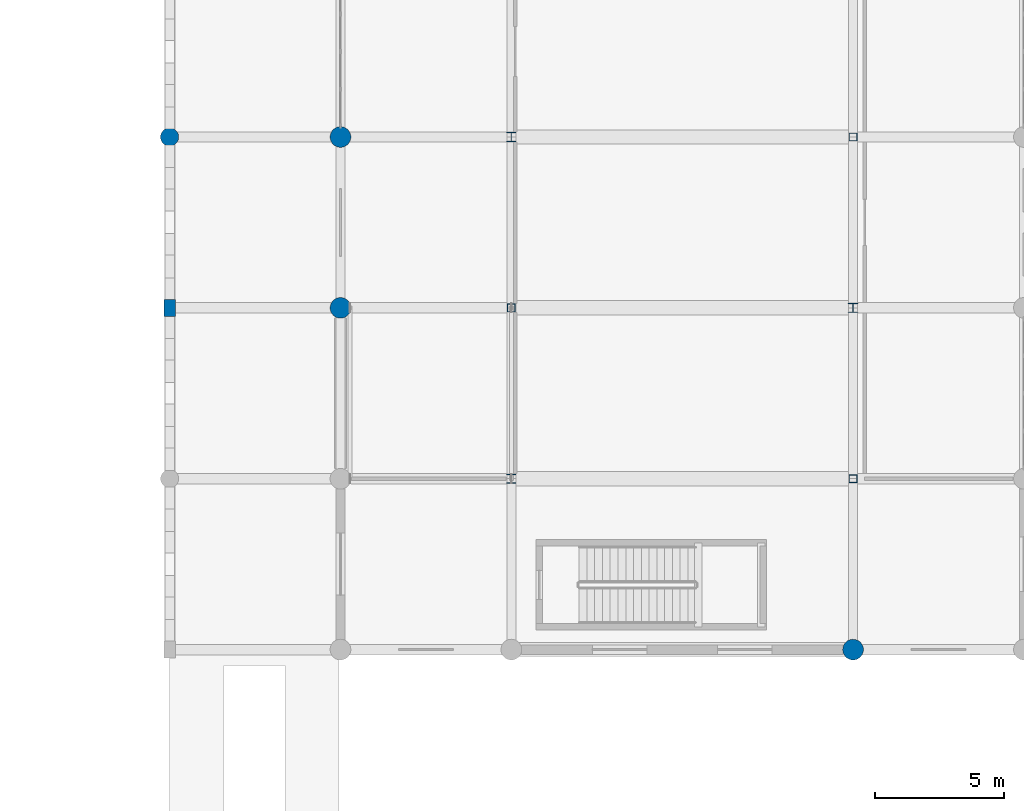
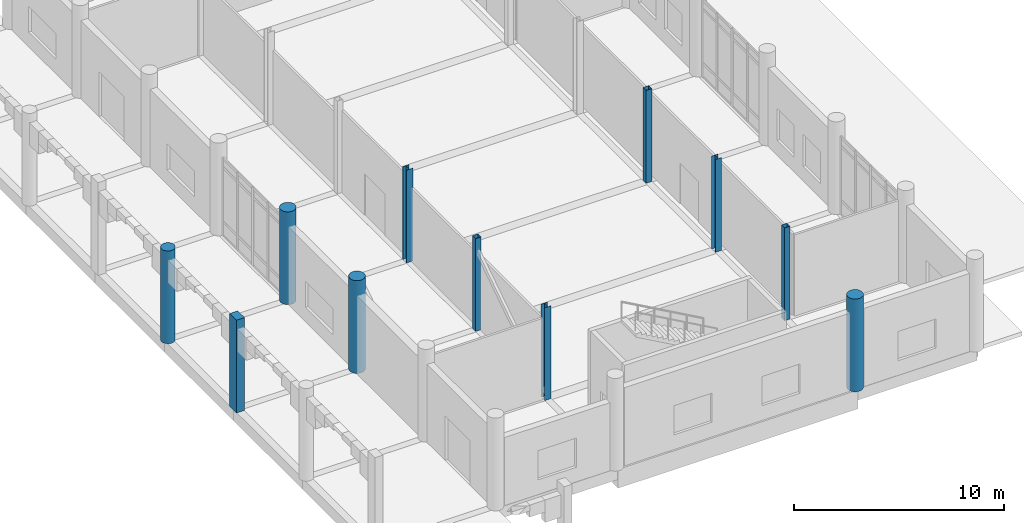
# One storey, part 2 of 72: 11 columns.
"""IFC4 building model written with IfcOpenShell, lengths in metres."""

from ifc_helpers import new_model, si_unit, direction, frame, origin, origin_2d, place, context, subcontext, project, spatial, rectangle, hollow_rectangle, circle, i_section, extrude, material, material_profile, profile_set, type_object, element, save


model = new_model("IFC4")

# Units and contexts
model_context = context("Model", 3, precision=1e-05, world=origin(), true_north=direction((0.0, 1.0)))
body_context = subcontext(model_context, "Body", "Model", "MODEL_VIEW")
ifc_project = project(units=[si_unit("LENGTHUNIT", "METRE"), si_unit("AREAUNIT", "SQUARE_METRE"), si_unit("VOLUMEUNIT", "CUBIC_METRE"), si_unit("PLANEANGLEUNIT", "RADIAN"), si_unit("MASSUNIT", "GRAM", prefix="KILO")], contexts=[model_context])

# Site, building, storey
site_placement = place(None, origin())
site = spatial("IfcSite", under=ifc_project, at=site_placement, CompositionType="ELEMENT")
building_placement = place(site_placement, origin())
building = spatial("IfcBuilding", under=site, at=building_placement, Name="Dornvale Research Institute", CompositionType="ELEMENT")
storey_placement = place(building_placement, origin())
storey = spatial("IfcBuildingStorey", under=building, at=storey_placement, Name="L00", CompositionType="ELEMENT", Elevation=0.0)

# Columns
ifc_material_1 = material(Name="Concrete f'c 45 MPa (C35/45)", Category="concrete")
ifc_material_profile_1 = material_profile(ifc_material_1, circle(Radius=0.39990234375, at=origin_2d()), Name="RC DIA 800")
ifc_profile_set_1 = profile_set([ifc_material_profile_1], Name="Concrete f'c 45 MPa (C35/45)")
column_type_1 = type_object("IfcColumnType", Name="Column_RCDia800_Ext", PredefinedType="COLUMN", material=ifc_profile_set_1)
for number, where, z_axis, x_axis, name in (
    (1, (39.60009765625, 52.800048828125, 0.0), (0.0, 0.0, 1.0), (1.0, 0.0, 0.0), "L00 column #1020"),
    (2, (39.60009765625, 59.39990234375, 0.0), (0.0, 0.0, 1.0), (1.0, 0.0, 0.0), "L00 column #1021"),
    (3, (59.39990234375, 39.60009765625, 0.0), (0.0, 0.0, 1.0), (1.0, 0.0, 0.0), "L00 column #1034"),
):
    element("IfcColumn", number, at=place(storey_placement, frame(where, z_axis=z_axis, x_axis=x_axis)), inside=storey, type_object=column_type_1, Name=name, PredefinedType="COLUMN", context=body_context, shape_type="SweptSolid", body=[
        extrude(circle(Radius=0.39990234375, at=origin_2d()), origin(), (0.0, 0.0, 1.0), 5.39990234375),
    ])
ifc_material_2 = material(Name="Steel ASTM A500 Grade C", Category="steel")
ifc_material_profile_2 = material_profile(ifc_material_2, hollow_rectangle(XDim=0.304931640625, YDim=0.304931640625, WallThickness=0.01171875, at=origin_2d()), Name="HSS305X305X12.7")
ifc_profile_set_2 = profile_set([ifc_material_profile_2], Name="Steel ASTM A500 Grade C")
column_type_2 = type_object("IfcColumnType", Name="Column_Steel_HSS305", PredefinedType="COLUMN", material=ifc_profile_set_2)
for number, where, z_axis, x_axis, name in (
    (4, (46.199951171875, 52.800048828125, 0.0), (0.0, 0.0, 1.0), (1.0, 0.0, 0.0), "L00 column #1028"),
    (5, (59.39990234375, 46.199951171875, 0.0), (0.0, 0.0, 1.0), (1.0, 0.0, 0.0), "L00 column #1035"),
    (6, (59.39990234375, 59.39990234375, 0.0), (0.0, 0.0, 1.0), (1.0, 0.0, 0.0), "L00 column #1037"),
):
    element("IfcColumn", number, at=place(storey_placement, frame(where, z_axis=z_axis, x_axis=x_axis)), inside=storey, type_object=column_type_2, Name=name, PredefinedType="COLUMN", context=body_context, shape_type="SweptSolid", body=[
        extrude(hollow_rectangle(XDim=0.304931640625, YDim=0.304931640625, WallThickness=0.01171875, at=origin_2d()), origin(), (0.0, 0.0, 1.0), 5.39990234375),
    ])
ifc_material_3 = material(Name="Steel ASTM A992 Grade 50", Category="steel")
ifc_material_profile_3 = material_profile(ifc_material_3, i_section(OverallWidth=0.35595703125, OverallDepth=0.35595703125, WebThickness=0.01123046875, FlangeThickness=0.01806640625, at=origin_2d()), Name="W14X90")
ifc_profile_set_3 = profile_set([ifc_material_profile_3], Name="Steel ASTM A992 Grade 50")
column_type_3 = type_object("IfcColumnType", Name="Column_Steel_W14X90", PredefinedType="COLUMN", material=ifc_profile_set_3)
for number, where, z_axis, x_axis, name in (
    (7, (46.199951171875, 46.199951171875, 0.0), (0.0, 0.0, 1.0), (1.0, 0.0, 0.0), "L00 column #1027"),
    (8, (46.199951171875, 59.39990234375, 0.0), (0.0, 0.0, 1.0), (1.0, 0.0, 0.0), "L00 column #1029"),
    (9, (59.39990234375, 52.800048828125, 0.0), (0.0, 0.0, 1.0), (1.0, 0.0, 0.0), "L00 column #1036"),
):
    element("IfcColumn", number, at=place(storey_placement, frame(where, z_axis=z_axis, x_axis=x_axis)), inside=storey, type_object=column_type_3, Name=name, PredefinedType="COLUMN", context=body_context, shape_type="SweptSolid", body=[
        extrude(i_section(OverallWidth=0.35595703125, OverallDepth=0.35595703125, WebThickness=0.01123046875, FlangeThickness=0.01806640625, at=origin_2d()), origin(), (0.0, 0.0, 1.0), 5.39990234375),
    ])
ifc_material_4 = material(Name="Concrete f'c 45 MPa (C35/45)", Category="concrete")
ifc_material_profile_4 = material_profile(ifc_material_4, rectangle(XDim=0.449951171875, YDim=0.64990234375, at=origin_2d()), Name="RC 450x650")
ifc_profile_set_4 = profile_set([ifc_material_profile_4], Name="Concrete f'c 45 MPa (C35/45)")
column_type_4 = type_object("IfcColumnType", Name="Pilaster_RC450x650_Ext", PredefinedType="PILASTER", material=ifc_profile_set_4)
column_1_placement = place(storey_placement, frame((33.0, 52.800048828125, 0.0), z_axis=(0.0, 0.0, 1.0), x_axis=(1.0, 0.0, 0.0)))
element("IfcColumn", 10, at=column_1_placement, inside=storey, type_object=column_type_4, Name="L00 colonnade column #1243", PredefinedType="PILASTER", context=body_context, shape_type="SweptSolid", body=[
    extrude(rectangle(XDim=0.449951171875, YDim=0.64990234375, at=origin_2d()), origin(), (0.0, 0.0, 1.0), 5.39990234375),
])
ifc_material_5 = material(Name="Concrete f'c 45 MPa (C35/45)", Category="concrete")
ifc_material_profile_5 = material_profile(ifc_material_5, circle(Radius=0.35009765625, at=origin_2d()), Name="RC DIA 700")
ifc_profile_set_5 = profile_set([ifc_material_profile_5], Name="Concrete f'c 45 MPa (C35/45)")
column_type_5 = type_object("IfcColumnType", Name="Pilaster_RCDia700_Arcade", PredefinedType="PILASTER", material=ifc_profile_set_5)
column_2_placement = place(storey_placement, frame((33.0, 59.39990234375, 0.0), z_axis=(0.0, 0.0, 1.0), x_axis=(1.0, 0.0, 0.0)))
element("IfcColumn", 11, at=column_2_placement, inside=storey, type_object=column_type_5, Name="L00 colonnade column #1245", PredefinedType="PILASTER", context=body_context, shape_type="SweptSolid", body=[
    extrude(circle(Radius=0.35009765625, at=origin_2d()), origin(), (0.0, 0.0, 1.0), 5.39990234375),
])

save(model, "model.ifc")
